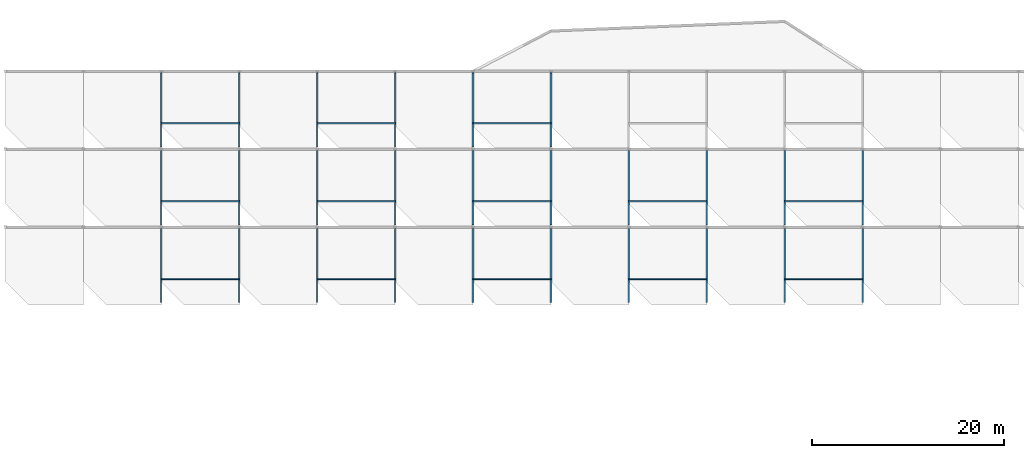
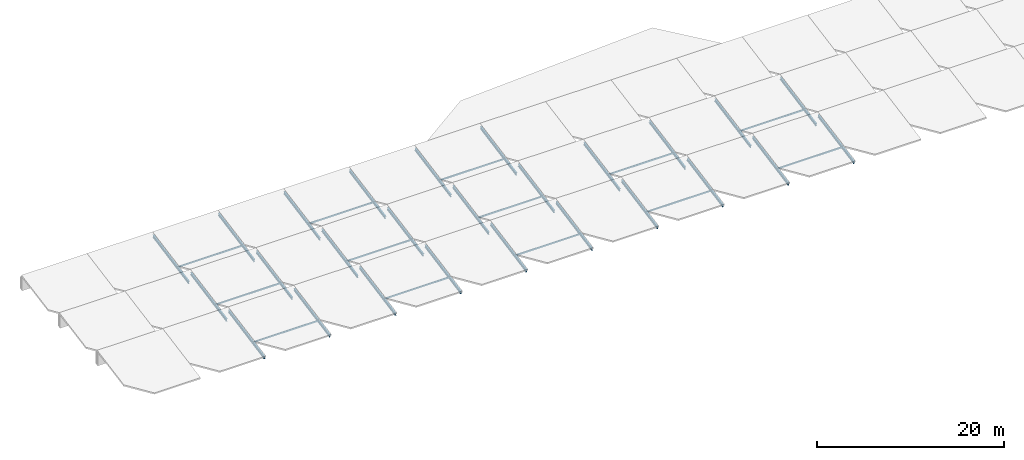
# One storey, part 15 of 33: 26 beams, 13 members.
"""IFC4 building model written with IfcOpenShell, lengths in metres."""

from ifc_helpers import new_model, si_unit, direction, frame, origin, origin_2d, place, context, subcontext, project, spatial, hollow_rectangle, i_section, extrude, material, material_profile, profile_set, type_object, element, save


model = new_model("IFC4")

# Units and contexts
model_context = context("Model", 3, precision=1e-05, world=origin(), true_north=direction((0.0, 1.0)))
body_context = subcontext(model_context, "Body", "Model", "MODEL_VIEW")
ifc_project = project(units=[si_unit("LENGTHUNIT", "METRE"), si_unit("AREAUNIT", "SQUARE_METRE"), si_unit("VOLUMEUNIT", "CUBIC_METRE"), si_unit("PLANEANGLEUNIT", "RADIAN"), si_unit("MASSUNIT", "GRAM", prefix="KILO")], contexts=[model_context])

# Site, building, storey
site_placement = place(None, origin())
site = spatial("IfcSite", under=ifc_project, at=site_placement, CompositionType="ELEMENT")
building_placement = place(site_placement, origin())
building = spatial("IfcBuilding", under=site, at=building_placement, Name="Vaudrelin Polytechnic", CompositionType="ELEMENT")
storey_placement = place(building_placement, frame((0.0, 0.0, 27.3701171875)))
storey = spatial("IfcBuildingStorey", under=building, at=storey_placement, Name="L06", CompositionType="ELEMENT", Elevation=27.3701171875)

# Beams
ifc_material = material(Name="Steel CSA G40.21 350W", Category="steel")
ifc_material_profile_1 = material_profile(ifc_material, i_section(OverallWidth=0.172119140625, OverallDepth=0.35791015625, WebThickness=0.0078125, FlangeThickness=0.01318359375, FilletRadius=0.014892578125, at=origin_2d()), Name="W360x57")
ifc_profile_set_1 = profile_set([ifc_material_profile_1], Name="Steel CSA G40.21 350W")
beam_type = type_object("IfcBeamType", Name="BM-JS-W360", PredefinedType="JOIST", material=ifc_profile_set_1)
for number, where, z_axis, x_axis, name in (
    (1, (32.39990234375, 97.470947265625, -0.190185546875), (0.0, 0.982087138534, 0.188427313109), (-1.0, 0.0, 0.0), "Sawtooth sloped rafter SAWR-4-12"),
    (2, (40.5, 97.470947265625, -0.190185546875), (0.0, 0.982087138534, 0.188427313109), (-1.0, 0.0, 0.0), "Sawtooth sloped rafter SAWR-5-12"),
    (3, (48.60009765625, 97.470947265625, -0.190185546875), (0.0, 0.982087138534, 0.188427313109), (-1.0, 0.0, 0.0), "Sawtooth sloped rafter SAWR-6-12"),
    (4, (56.699951171875, 97.470947265625, -0.190185546875), (0.0, 0.982087138534, 0.188427313109), (-1.0, 0.0, 0.0), "Sawtooth sloped rafter SAWR-7-12"),
    (5, (64.800048828125, 97.470947265625, -0.190185546875), (0.0, 0.982087138534, 0.188427313109), (-1.0, 0.0, 0.0), "Sawtooth sloped rafter SAWR-8-12"),
    (6, (72.89990234375, 97.470947265625, -0.190185546875), (0.0, 0.982087138534, 0.188427313109), (-1.0, 0.0, 0.0), "Sawtooth sloped rafter SAWR-9-12"),
    (7, (81.0, 97.470947265625, -0.190185546875), (0.0, 0.982087138534, 0.188427313109), (-1.0, 0.0, 0.0), "Sawtooth sloped rafter SAWR-10-12"),
    (8, (89.10009765625, 97.470947265625, -0.190185546875), (0.0, 0.982087138534, 0.188427313109), (-1.0, 0.0, 0.0), "Sawtooth sloped rafter SAWR-11-12"),
    (9, (97.199951171875, 97.470947265625, -0.190185546875), (0.0, 0.982087138534, 0.188427313109), (-1.0, 0.0, 0.0), "Sawtooth sloped rafter SAWR-12-12"),
    (10, (105.300048828125, 97.470947265625, -0.190185546875), (0.0, 0.982087138534, 0.188427313109), (-1.0, 0.0, 0.0), "Sawtooth sloped rafter SAWR-13-12"),
    (11, (32.39990234375, 105.571044921875, -0.190185546875), (0.0, 0.982087138534, 0.188427313109), (-1.0, 0.0, 0.0), "Sawtooth sloped rafter SAWR-4-13"),
    (12, (40.5, 105.571044921875, -0.190185546875), (0.0, 0.982087138534, 0.188427313109), (-1.0, 0.0, 0.0), "Sawtooth sloped rafter SAWR-5-13"),
    (13, (48.60009765625, 105.571044921875, -0.190185546875), (0.0, 0.982087138534, 0.188427313109), (-1.0, 0.0, 0.0), "Sawtooth sloped rafter SAWR-6-13"),
    (14, (56.699951171875, 105.571044921875, -0.190185546875), (0.0, 0.982087138534, 0.188427313109), (-1.0, 0.0, 0.0), "Sawtooth sloped rafter SAWR-7-13"),
    (15, (64.800048828125, 105.571044921875, -0.190185546875), (0.0, 0.982087138534, 0.188427313109), (-1.0, 0.0, 0.0), "Sawtooth sloped rafter SAWR-8-13"),
    (16, (72.89990234375, 105.571044921875, -0.190185546875), (0.0, 0.982087138534, 0.188427313109), (-1.0, 0.0, 0.0), "Sawtooth sloped rafter SAWR-9-13"),
    (17, (81.0, 105.571044921875, -0.190185546875), (0.0, 0.982087138534, 0.188427313109), (-1.0, 0.0, 0.0), "Sawtooth sloped rafter SAWR-10-13"),
    (18, (89.10009765625, 105.571044921875, -0.190185546875), (0.0, 0.982087138534, 0.188427313109), (-1.0, 0.0, 0.0), "Sawtooth sloped rafter SAWR-11-13"),
    (19, (97.199951171875, 105.571044921875, -0.190185546875), (0.0, 0.982087138534, 0.188427313109), (-1.0, 0.0, 0.0), "Sawtooth sloped rafter SAWR-12-13"),
    (20, (105.300048828125, 105.571044921875, -0.190185546875), (0.0, 0.982087138534, 0.188427313109), (-1.0, 0.0, 0.0), "Sawtooth sloped rafter SAWR-13-13"),
    (21, (32.39990234375, 113.6708984375, -0.190185546875), (0.0, 0.982087138534, 0.188427313109), (-1.0, 0.0, 0.0), "Sawtooth sloped rafter SAWR-4-14"),
    (22, (40.5, 113.6708984375, -0.190185546875), (0.0, 0.982087138534, 0.188427313109), (-1.0, 0.0, 0.0), "Sawtooth sloped rafter SAWR-5-14"),
    (23, (48.60009765625, 113.6708984375, -0.190185546875), (0.0, 0.982087138534, 0.188427313109), (-1.0, 0.0, 0.0), "Sawtooth sloped rafter SAWR-6-14"),
    (24, (56.699951171875, 113.6708984375, -0.190185546875), (0.0, 0.982087138534, 0.188427313109), (-1.0, 0.0, 0.0), "Sawtooth sloped rafter SAWR-7-14"),
    (25, (64.800048828125, 113.6708984375, -0.190185546875), (0.0, 0.982087138534, 0.188427313109), (-1.0, 0.0, 0.0), "Sawtooth sloped rafter SAWR-8-14"),
    (26, (72.89990234375, 113.6708984375, -0.190185546875), (0.0, 0.982087138534, 0.188427313109), (-1.0, 0.0, 0.0), "Sawtooth sloped rafter SAWR-9-14"),
):
    element("IfcBeam", number, at=place(storey_placement, frame(where, z_axis=z_axis, x_axis=x_axis)), inside=storey, type_object=beam_type, Name=name, PredefinedType="JOIST", context=body_context, shape_type="SweptSolid", body=[
        extrude(i_section(OverallWidth=0.172119140625, OverallDepth=0.35791015625, WebThickness=0.0078125, FlangeThickness=0.01318359375, FilletRadius=0.014892578125, at=origin_2d()), origin(), (0.0, 0.0, 1.0), 7.8466796875),
    ])

# Members
ifc_material_profile_2 = material_profile(ifc_material, hollow_rectangle(XDim=0.10205078125, YDim=0.202880859375, WallThickness=0.008056640625, InnerFilletRadius=0.008056640625, OuterFilletRadius=0.01611328125, at=origin_2d()), Name="HSS203x102x8.0")
ifc_profile_set_2 = profile_set([ifc_material_profile_2], Name="Steel CSA G40.21 350W")
member_type = type_object("IfcMemberType", Name="MEM-PR-01", PredefinedType="PURLIN", material=ifc_profile_set_2)
member_placement = place(storey_placement, frame((32.39990234375, 99.89990234375, 0.388671875), z_axis=(1.0, 0.0, 0.0), x_axis=(0.0, 1.0, 0.0)))
element("IfcMember", 27, at=member_placement, inside=storey, type_object=member_type, Name="Sawtooth roof purlin PR-4-12", PredefinedType="PURLIN", context=body_context, shape_type="SweptSolid", body=[
    extrude(hollow_rectangle(XDim=0.10205078125, YDim=0.202880859375, WallThickness=0.008056640625, InnerFilletRadius=0.008056640625, OuterFilletRadius=0.01611328125, at=origin_2d()), origin(), (0.0, 0.0, 1.0), 8.10009765625),
])
for number, where, z_axis, x_axis, name in (
    (28, (48.60009765625, 99.89990234375, 0.388671875), (1.0, 0.0, 0.0), (0.0, 1.0, 0.0), "Sawtooth roof purlin PR-6-12"),
    (29, (64.800048828125, 99.89990234375, 0.388671875), (1.0, 0.0, 0.0), (0.0, 1.0, 0.0), "Sawtooth roof purlin PR-8-12"),
):
    element("IfcMember", number, at=place(storey_placement, frame(where, z_axis=z_axis, x_axis=x_axis)), inside=storey, type_object=member_type, Name=name, PredefinedType="PURLIN", context=body_context, shape_type="SweptSolid", body=[
        extrude(hollow_rectangle(XDim=0.10205078125, YDim=0.202880859375, WallThickness=0.008056640625, InnerFilletRadius=0.008056640625, OuterFilletRadius=0.01611328125, at=origin_2d()), origin(), (0.0, 0.0, 1.0), 8.099853515625),
    ])
for number, where, z_axis, x_axis, name in (
    (30, (81.0, 99.89990234375, 0.388671875), (1.0, 0.0, 0.0), (0.0, 1.0, 0.0), "Sawtooth roof purlin PR-10-12"),
    (31, (97.199951171875, 99.89990234375, 0.388671875), (1.0, 0.0, 0.0), (0.0, 1.0, 0.0), "Sawtooth roof purlin PR-12-12"),
    (32, (32.39990234375, 108.0, 0.388671875), (1.0, 0.0, 0.0), (0.0, 1.0, 0.0), "Sawtooth roof purlin PR-4-13"),
):
    element("IfcMember", number, at=place(storey_placement, frame(where, z_axis=z_axis, x_axis=x_axis)), inside=storey, type_object=member_type, Name=name, PredefinedType="PURLIN", context=body_context, shape_type="SweptSolid", body=[
        extrude(hollow_rectangle(XDim=0.10205078125, YDim=0.202880859375, WallThickness=0.008056640625, InnerFilletRadius=0.008056640625, OuterFilletRadius=0.01611328125, at=origin_2d()), origin(), (0.0, 0.0, 1.0), 8.10009765625),
    ])
for number, where, z_axis, x_axis, name in (
    (33, (48.60009765625, 108.0, 0.388671875), (1.0, 0.0, 0.0), (0.0, 1.0, 0.0), "Sawtooth roof purlin PR-6-13"),
    (34, (64.800048828125, 108.0, 0.388671875), (1.0, 0.0, 0.0), (0.0, 1.0, 0.0), "Sawtooth roof purlin PR-8-13"),
):
    element("IfcMember", number, at=place(storey_placement, frame(where, z_axis=z_axis, x_axis=x_axis)), inside=storey, type_object=member_type, Name=name, PredefinedType="PURLIN", context=body_context, shape_type="SweptSolid", body=[
        extrude(hollow_rectangle(XDim=0.10205078125, YDim=0.202880859375, WallThickness=0.008056640625, InnerFilletRadius=0.008056640625, OuterFilletRadius=0.01611328125, at=origin_2d()), origin(), (0.0, 0.0, 1.0), 8.099853515625),
    ])
for number, where, z_axis, x_axis, name in (
    (35, (81.0, 108.0, 0.388671875), (1.0, 0.0, 0.0), (0.0, 1.0, 0.0), "Sawtooth roof purlin PR-10-13"),
    (36, (97.199951171875, 108.0, 0.388671875), (1.0, 0.0, 0.0), (0.0, 1.0, 0.0), "Sawtooth roof purlin PR-12-13"),
    (37, (32.39990234375, 116.10009765625, 0.388671875), (1.0, 0.0, 0.0), (0.0, 1.0, 0.0), "Sawtooth roof purlin PR-4-14"),
):
    element("IfcMember", number, at=place(storey_placement, frame(where, z_axis=z_axis, x_axis=x_axis)), inside=storey, type_object=member_type, Name=name, PredefinedType="PURLIN", context=body_context, shape_type="SweptSolid", body=[
        extrude(hollow_rectangle(XDim=0.10205078125, YDim=0.202880859375, WallThickness=0.008056640625, InnerFilletRadius=0.008056640625, OuterFilletRadius=0.01611328125, at=origin_2d()), origin(), (0.0, 0.0, 1.0), 8.10009765625),
    ])
for number, where, z_axis, x_axis, name in (
    (38, (48.60009765625, 116.10009765625, 0.388671875), (1.0, 0.0, 0.0), (0.0, 1.0, 0.0), "Sawtooth roof purlin PR-6-14"),
    (39, (64.800048828125, 116.10009765625, 0.388671875), (1.0, 0.0, 0.0), (0.0, 1.0, 0.0), "Sawtooth roof purlin PR-8-14"),
):
    element("IfcMember", number, at=place(storey_placement, frame(where, z_axis=z_axis, x_axis=x_axis)), inside=storey, type_object=member_type, Name=name, PredefinedType="PURLIN", context=body_context, shape_type="SweptSolid", body=[
        extrude(hollow_rectangle(XDim=0.10205078125, YDim=0.202880859375, WallThickness=0.008056640625, InnerFilletRadius=0.008056640625, OuterFilletRadius=0.01611328125, at=origin_2d()), origin(), (0.0, 0.0, 1.0), 8.099853515625),
    ])

save(model, "model.ifc")
